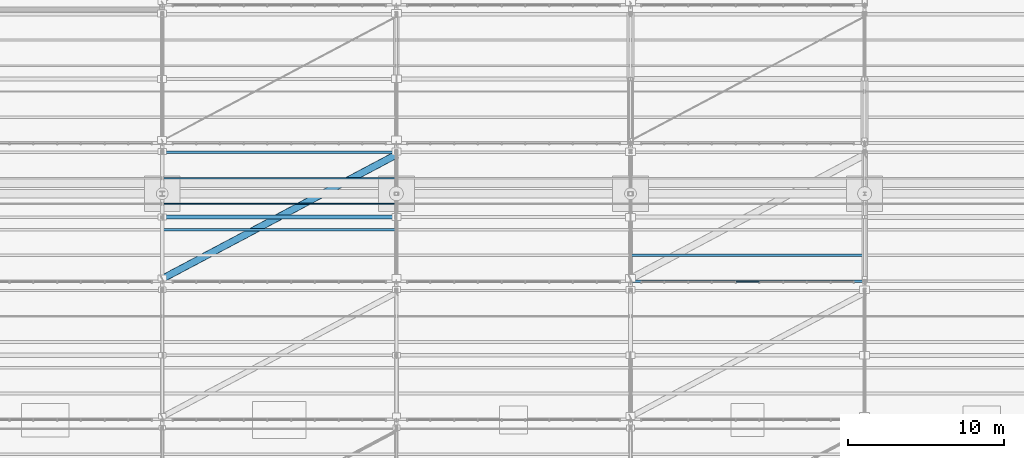
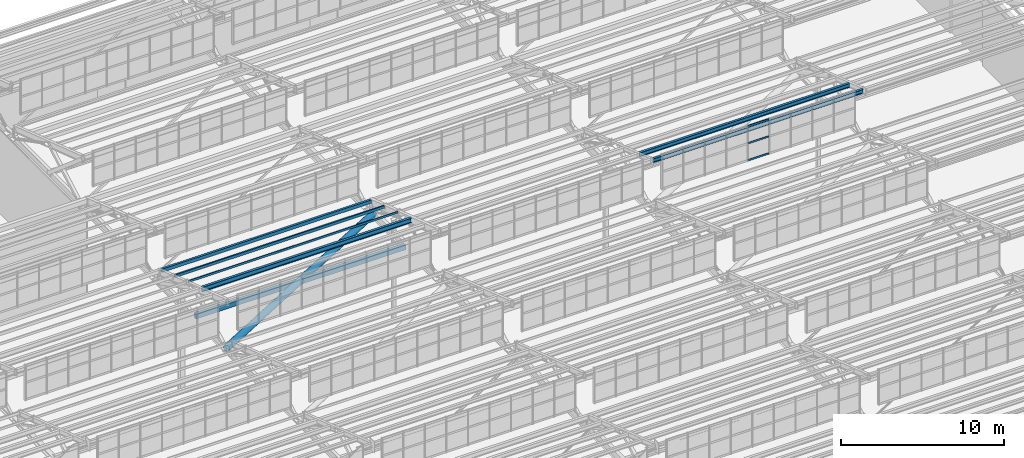
# One storey, part 105 of 285: 6 beams, 5 members, 1 element without a shape of its own.
"""IFC4 building model written with IfcOpenShell, lengths in metres."""

from ifc_helpers import new_model, si_unit, direction, frame, origin, origin_2d, place, context, subcontext, project, spatial, rectangle, hollow_rectangle, hollow_circle, i_section, extrude, material, material_profile, profile_set, type_object, element, aggregate, save


model = new_model("IFC4")

# Units and contexts
model_context = context("Model", 3, precision=1e-05, world=origin(), true_north=direction((0.0, 1.0)))
body_context = subcontext(model_context, "Body", "Model", "MODEL_VIEW")
ifc_project = project(units=[si_unit("LENGTHUNIT", "METRE"), si_unit("AREAUNIT", "SQUARE_METRE"), si_unit("VOLUMEUNIT", "CUBIC_METRE"), si_unit("PLANEANGLEUNIT", "RADIAN"), si_unit("MASSUNIT", "GRAM", prefix="KILO")], contexts=[model_context])

# Site, building, storey
site_placement = place(None, origin())
site = spatial("IfcSite", under=ifc_project, at=site_placement, CompositionType="ELEMENT")
building_placement = place(site_placement, origin())
building = spatial("IfcBuilding", under=site, at=building_placement, Name="Solanera Park Tramway Depot", CompositionType="ELEMENT")
storey_placement = place(building_placement, origin())
storey = spatial("IfcBuildingStorey", under=building, at=storey_placement, Name="L00", CompositionType="ELEMENT", Elevation=0.0)

# Curtain wall, members
ifc_material_1 = material(Name="Bronze-anodised thermally broken aluminium curtain wall", Category="aluminium")
curtain_wall_type = type_object("IfcCurtainWallType", Name="Sawtooth Clerestory Monitor Curtain Wall", PredefinedType="NOTDEFINED", material=ifc_material_1)
curtain_wall_placement = place(storey_placement, origin())
curtain_wall = element("IfcCurtainWall", 1, at=curtain_wall_placement, inside=storey, type_object=curtain_wall_type, Name="L00 Sawtooth Clerestory Monitor Curtain Wall #051", PredefinedType="NOTDEFINED")
ifc_material_2 = material(Name="Bronze-anodised structural aluminium 6063-T6", Category="aluminium")
ifc_material_profile_1 = material_profile(ifc_material_2, rectangle(XDim=0.06494140625, YDim=0.1201171875, at=origin_2d()), Name="Curtain Wall Transom 65x120")
ifc_profile_set_1 = profile_set([ifc_material_profile_1], Name="Bronze-anodised structural aluminium 6063-T6")
member_type_1 = type_object("IfcMemberType", Name="Curtain Wall Transom 65x120", PredefinedType="USERDEFINED", material=ifc_profile_set_1)
member_1_placement = place(storey_placement, frame((126.766845703125, 108.85009765625, 7.81005859375), z_axis=(1.0, 0.0, 0.0), x_axis=(0.0, 1.0, 0.0)))
member_1 = element("IfcMember", 2, at=member_1_placement, type_object=member_type_1, Name="CW-L00-051 Transom R1.C5", ObjectType="TRANSOM", PredefinedType="USERDEFINED", context=body_context, shape_type="SweptSolid", body=[
    extrude(rectangle(XDim=0.06494140625, YDim=0.1201171875, at=origin_2d()), origin(), (0.0, 0.0, 1.0), 1.46630859375),
])
member_2_placement = place(storey_placement, frame((126.766845703125, 108.85009765625, 9.08056640625), z_axis=(1.0, 0.0, 0.0), x_axis=(0.0, 1.0, 0.0)))
member_2 = element("IfcMember", 3, at=member_2_placement, type_object=member_type_1, Name="CW-L00-051 Transom R2.C5", ObjectType="TRANSOM", PredefinedType="USERDEFINED", context=body_context, shape_type="SweptSolid", body=[
    extrude(rectangle(XDim=0.06494140625, YDim=0.1201171875, at=origin_2d()), origin(), (0.0, 0.0, 1.0), 1.46630859375),
])
member_3_placement = place(storey_placement, frame((126.766845703125, 108.85009765625, 10.351318359375), z_axis=(1.0, 0.0, 0.0), x_axis=(0.0, 1.0, 0.0)))
member_3 = element("IfcMember", 4, at=member_3_placement, type_object=member_type_1, Name="CW-L00-051 Transom R3.C5", ObjectType="TRANSOM", PredefinedType="USERDEFINED", context=body_context, shape_type="SweptSolid", body=[
    extrude(rectangle(XDim=0.06494140625, YDim=0.1201171875, at=origin_2d()), origin(), (0.0, 0.0, 1.0), 1.46630859375),
])
aggregate(curtain_wall, [member_1, member_2, member_3])

# Member
ifc_material_3 = material(Name="Steel AS/NZS 1163 Grade C350L0", Category="steel")
ifc_material_profile_2 = material_profile(ifc_material_3, hollow_rectangle(XDim=0.25, YDim=0.35009765625, WallThickness=0.010009765625, at=origin_2d()), Name="350x250x10.0 RHS")
ifc_profile_set_2 = profile_set([ifc_material_profile_2], Name="Steel AS/NZS 1163 Grade C350L0")
member_type_2 = type_object("IfcMemberType", Name="Secondary Truss Chord 350x250x10.0 RHS", PredefinedType="CHORD", material=ifc_profile_set_2)
member_4_placement = place(storey_placement, frame((90.087890625, 113.0, 6.5), z_axis=(1.0, 0.0, 0.0), x_axis=(0.0, 1.0, 0.0)))
element("IfcMember", 5, at=member_4_placement, inside=storey, type_object=member_type_2, Name="Sawtooth Longitudinal Tie Chord 350x250x10.0 RHS #0314", PredefinedType="CHORD", context=body_context, shape_type="SweptSolid", body=[
    extrude(hollow_rectangle(XDim=0.25, YDim=0.35009765625, WallThickness=0.010009765625, at=origin_2d()), origin(), (0.0, 0.0, 1.0), 14.82421875),
])

# Beams
ifc_material_4 = material(Name="Steel AS/NZS 1163 Grade C350L0", Category="steel")
ifc_material_profile_3 = material_profile(ifc_material_4, hollow_rectangle(XDim=0.050048828125, YDim=0.14990234375, WallThickness=0.0048828125, at=origin_2d()), Name="150x50x5.0 RHS")
ifc_profile_set_3 = profile_set([ifc_material_profile_3], Name="Steel AS/NZS 1163 Grade C350L0")
beam_type_1 = type_object("IfcBeamType", Name="Steel Joist Purlin 150x50x5.0 RHS", PredefinedType="JOIST", material=ifc_profile_set_3)
beam_1_placement = place(storey_placement, frame((90.087158203125, 113.85009765625, 8.550537109375), z_axis=(1.0, 0.0, 0.0), x_axis=(0.0, 1.0, 0.0)))
element("IfcBeam", 6, at=beam_1_placement, inside=storey, type_object=beam_type_1, Name="Sawtooth Roof Purlin 150x50x5.0 RHS B07.4", PredefinedType="JOIST", context=body_context, shape_type="SweptSolid", body=[
    extrude(hollow_rectangle(XDim=0.050048828125, YDim=0.14990234375, WallThickness=0.0048828125, at=origin_2d()), origin(), (0.0, 0.0, 1.0), 14.816162109375),
])
ifc_material_5 = material(Name="Steel AS/NZS 1163 Grade C350L0", Category="steel")
ifc_material_profile_4 = material_profile(ifc_material_5, hollow_rectangle(XDim=0.10009765625, YDim=0.199951171875, WallThickness=0.006103515625, at=origin_2d()), Name="200x100x6.0 RHS")
ifc_profile_set_4 = profile_set([ifc_material_profile_4], Name="Steel AS/NZS 1163 Grade C350L0")
beam_type_2 = type_object("IfcBeamType", Name="Steel Joist Purlin 200x100x6.0 RHS", PredefinedType="JOIST", material=ifc_profile_set_4)
beam_2_placement = place(storey_placement, frame((90.087158203125, 115.5, 7.965087890625), z_axis=(1.0, 0.0, 0.0), x_axis=(0.0, 1.0, 0.0)))
element("IfcBeam", 7, at=beam_2_placement, inside=storey, type_object=beam_type_2, Name="Sawtooth Roof Purlin 200x100x6.0 RHS B07.5", PredefinedType="JOIST", context=body_context, shape_type="SweptSolid", body=[
    extrude(hollow_rectangle(XDim=0.10009765625, YDim=0.199951171875, WallThickness=0.006103515625, at=origin_2d()), origin(), (0.0, 0.0, 1.0), 14.816162109375),
])
ifc_material_6 = material(Name="Steel AS/NZS 1163 Grade C350L0", Category="steel")
ifc_material_profile_5 = material_profile(ifc_material_6, hollow_rectangle(XDim=0.14990234375, YDim=0.25, WallThickness=0.008056640625, at=origin_2d()), Name="250x150x8.0 RHS")
ifc_profile_set_5 = profile_set([ifc_material_profile_5], Name="Steel AS/NZS 1163 Grade C350L0")
beam_type_3 = type_object("IfcBeamType", Name="Steel Joist Purlin 250x150x8.0 RHS", PredefinedType="JOIST", material=ifc_profile_set_5)
beam_3_placement = place(storey_placement, frame((90.087158203125, 117.14990234375, 7.379638671875), z_axis=(1.0, 0.0, 0.0), x_axis=(0.0, 1.0, 0.0)))
element("IfcBeam", 8, at=beam_3_placement, inside=storey, type_object=beam_type_3, Name="Sawtooth Roof Purlin 250x150x8.0 RHS B07.6", PredefinedType="JOIST", context=body_context, shape_type="SweptSolid", body=[
    extrude(hollow_rectangle(XDim=0.14990234375, YDim=0.25, WallThickness=0.008056640625, at=origin_2d()), origin(), (0.0, 0.0, 1.0), 14.816162109375),
])
ifc_material_7 = material(Name="Steel AS/NZS 3679.1 Grade 350", Category="steel")
ifc_material_profile_6 = material_profile(ifc_material_7, i_section(OverallWidth=0.1650390625, OverallDepth=0.3037109375, WebThickness=0.006103515625, FlangeThickness=0.01025390625, at=origin_2d()), Name="310UB40.4")
ifc_profile_set_6 = profile_set([ifc_material_profile_6], Name="Steel AS/NZS 3679.1 Grade 350")
beam_type_4 = type_object("IfcBeamType", Name="Steel Joist Purlin 310UB40.4", PredefinedType="JOIST", material=ifc_profile_set_6)
beam_4_placement = place(storey_placement, frame((120.074951171875, 108.89990234375, 10.110595703125), z_axis=(1.0, 0.0, 0.0), x_axis=(0.0, 1.0, 0.0)))
element("IfcBeam", 9, at=beam_4_placement, inside=storey, type_object=beam_type_4, Name="Sawtooth Roof Purlin 310UB40.4 B07.1", PredefinedType="JOIST", context=body_context, shape_type="SweptSolid", body=[
    extrude(i_section(OverallWidth=0.1650390625, OverallDepth=0.3037109375, WebThickness=0.006103515625, FlangeThickness=0.01025390625, at=origin_2d()), origin(), (0.0, 0.0, 1.0), 14.84716796875),
])
ifc_material_8 = material(Name="Steel AS/NZS 3679.1 Grade 350", Category="steel")
ifc_material_profile_7 = material_profile(ifc_material_8, i_section(OverallWidth=0.166015625, OverallDepth=0.30712890625, WebThickness=0.006591796875, FlangeThickness=0.01171875, at=origin_2d()), Name="310UB46.2")
ifc_profile_set_7 = profile_set([ifc_material_profile_7], Name="Steel AS/NZS 3679.1 Grade 350")
beam_type_5 = type_object("IfcBeamType", Name="Steel Joist Purlin 310UB46.2", PredefinedType="JOIST", material=ifc_profile_set_7)
beam_5_placement = place(storey_placement, frame((120.074951171875, 110.550048828125, 9.556640625), z_axis=(1.0, 0.0, 0.0), x_axis=(0.0, 1.0, 0.0)))
element("IfcBeam", 10, at=beam_5_placement, inside=storey, type_object=beam_type_5, Name="Sawtooth Roof Purlin 310UB46.2 B07.2", PredefinedType="JOIST", context=body_context, shape_type="SweptSolid", body=[
    extrude(i_section(OverallWidth=0.166015625, OverallDepth=0.30712890625, WebThickness=0.006591796875, FlangeThickness=0.01171875, at=origin_2d()), origin(), (0.0, 0.0, 1.0), 14.84716796875),
])
ifc_material_9 = material(Name="Steel AS/NZS 3679.1 Grade 350", Category="steel")
ifc_material_profile_8 = material_profile(ifc_material_9, i_section(OverallWidth=0.17138671875, OverallDepth=0.355712890625, WebThickness=0.00732421875, FlangeThickness=0.011474609375, at=origin_2d()), Name="360UB50.7")
ifc_profile_set_8 = profile_set([ifc_material_profile_8], Name="Steel AS/NZS 3679.1 Grade 350")
beam_type_6 = type_object("IfcBeamType", Name="Steel Joist Purlin 360UB50.7", PredefinedType="JOIST", material=ifc_profile_set_8)
beam_6_placement = place(storey_placement, frame((90.087158203125, 112.199951171875, 8.9794921875), z_axis=(1.0, 0.0, 0.0), x_axis=(0.0, 1.0, 0.0)))
element("IfcBeam", 11, at=beam_6_placement, inside=storey, type_object=beam_type_6, Name="Sawtooth Roof Purlin 360UB50.7 B07.3", PredefinedType="JOIST", context=body_context, shape_type="SweptSolid", body=[
    extrude(i_section(OverallWidth=0.17138671875, OverallDepth=0.355712890625, WebThickness=0.00732421875, FlangeThickness=0.011474609375, at=origin_2d()), origin(), (0.0, 0.0, 1.0), 14.816162109375),
])

# Member
ifc_material_10 = material(Name="Steel AS/NZS 1163 Grade C350L0", Category="steel")
ifc_material_profile_9 = material_profile(ifc_material_10, hollow_circle(Radius=0.228515625, WallThickness=0.0126953125, at=origin_2d()), Name="457.0x12.7 CHS")
ifc_profile_set_9 = profile_set([ifc_material_profile_9], Name="Steel AS/NZS 1163 Grade C350L0")
member_type_3 = type_object("IfcMemberType", Name="Truss and Frame Brace 457.0x12.7 CHS", PredefinedType="BRACE", material=ifc_profile_set_9)
member_5_placement = place(storey_placement, frame((90.001953125, 109.050048828125, 6.5), z_axis=(0.883523615038, 0.468386615598, 0.0), x_axis=(-0.468386615598, 0.883523615038, 0.0)))
element("IfcMember", 12, at=member_5_placement, inside=storey, type_object=member_type_3, Name="Roof Plane Cyclonic Brace 457.0x12.7 CHS #0315", PredefinedType="BRACE", context=body_context, shape_type="SweptSolid", body=[
    extrude(hollow_circle(Radius=0.228515625, WallThickness=0.0126953125, at=origin_2d()), origin(), (0.0, 0.0, 1.0), 16.97314453125),
])

save(model, "model.ifc")
